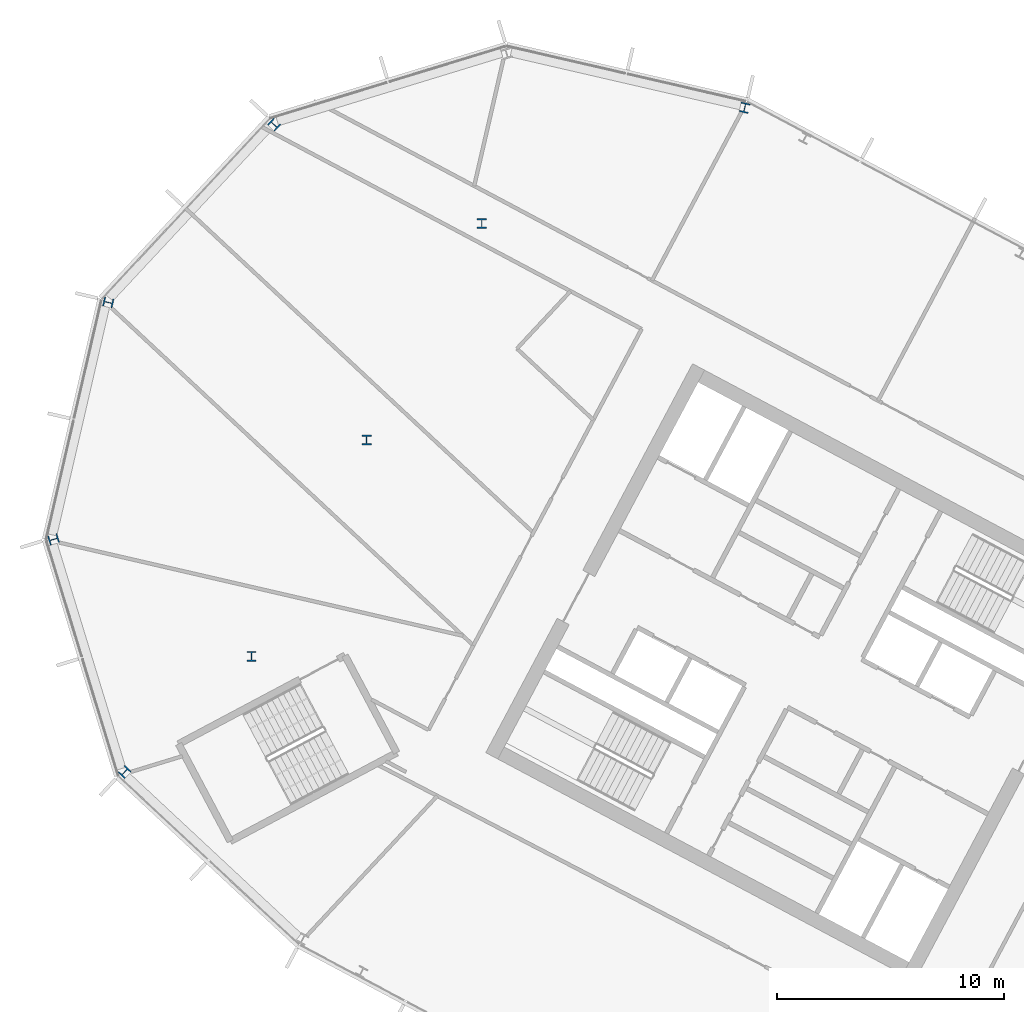
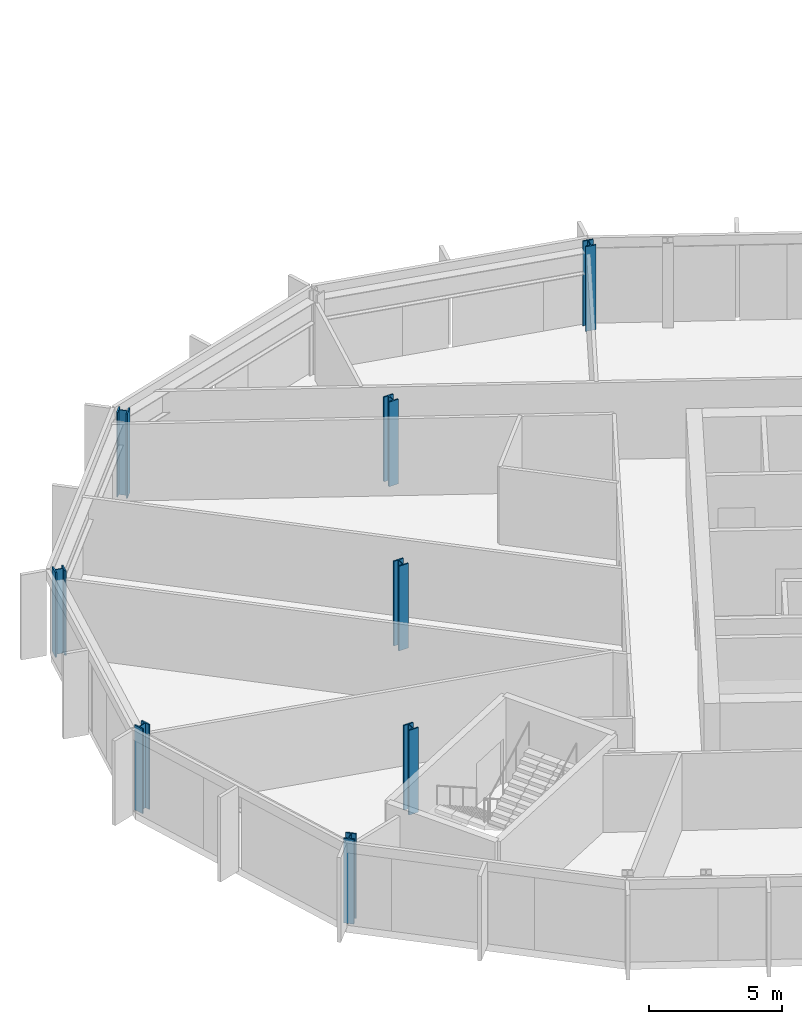
# One storey, part 3 of 26: 8 columns.
"""IFC4 building model written with IfcOpenShell, lengths in metres."""

import ifcopenshell
import ifcopenshell.guid

model = None  # the IFC model being written
_history = None  # IfcOwnerHistory: only IFC2X3 demands one
_inside = {}  # id of a spatial element -> (the spatial element, [elements in it])
_under = {}  # id of a project, library or spatial element -> (it, [spatial elements below it])
_declared = {}  # id of a project -> (the project, [libraries it declares])
_typed = {}  # id of a type object -> (the type object, [elements of that type])
_made_of = {}  # id of a material, layer set ... -> (it, [elements and type objects made of it])


def new_model(schema):
    """Start an empty IFC model of exactly this schema.

    Asked for "IFC4X3", IfcOpenShell would pick the latest addendum, in which some entities
    have other attributes; the version numbers below select the first issue.
    IFC2X3 requires an IfcOwnerHistory on every rooted entity: one is made here for all.
    """
    global model, _history
    if schema == "IFC4X3":
        model = ifcopenshell.file(schema_version=(4, 3, 0, 0))
    else:
        model = ifcopenshell.file(schema=schema)
    _inside.clear()
    _under.clear()
    _declared.clear()
    _typed.clear()
    _made_of.clear()
    _history = None
    if model.schema == "IFC2X3":
        org = make("IfcOrganization", Name="unknown")
        user = make(
            "IfcPersonAndOrganization",
            ThePerson=make("IfcPerson", FamilyName="unknown"),
            TheOrganization=org,
        )
        app = make(
            "IfcApplication",
            ApplicationDeveloper=org,
            Version="unknown",
            ApplicationFullName="unknown",
            ApplicationIdentifier="unknown",
        )
        _history = make(
            "IfcOwnerHistory",
            OwningUser=user,
            OwningApplication=app,
            ChangeAction="ADDED",
            CreationDate=0,
        )
    return model


def make(cls, **values):
    """One entity of the class cls with the attributes given. An attribute that is None is left unset."""
    return model.create_entity(
        cls, **{name: value for name, value in values.items() if value is not None}
    )


def rooted(cls, **values):
    """An entity with a GlobalId (a new one), such as an element, a storey or a relation."""
    return make(cls, GlobalId=ifcopenshell.guid.new(), OwnerHistory=_history, **values)


def si_unit(unit_type, name, prefix=None):
    """IfcSIUnit, for example si_unit("LENGTHUNIT", "METRE", prefix="MILLI")."""
    return make("IfcSIUnit", UnitType=unit_type, Prefix=prefix, Name=name)


def assignment(units):
    """IfcUnitAssignment: the units of a project."""
    return None if units is None else make("IfcUnitAssignment", Units=units)


def point(xyz):
    """IfcCartesianPoint."""
    return None if xyz is None else make("IfcCartesianPoint", Coordinates=xyz)


def direction(xyz):
    """IfcDirection."""
    return None if xyz is None else make("IfcDirection", DirectionRatios=xyz)


def frame(location, z_axis=None, x_axis=None):
    """IfcAxis2Placement3D, a coordinate frame: its origin and axes. An axis left out is left unset."""
    return make(
        "IfcAxis2Placement3D",
        Location=point(location),
        Axis=direction(z_axis),
        RefDirection=direction(x_axis),
    )


def frame_2d(location, x_axis=None):
    """IfcAxis2Placement2D, a coordinate frame in the plane: its origin and x axis."""
    return make(
        "IfcAxis2Placement2D", Location=point(location), RefDirection=direction(x_axis)
    )


def origin():
    """The frame at (0, 0, 0) with its axes left unset."""
    return frame((0.0, 0.0, 0.0))


def origin_2d():
    """The frame at (0, 0) in the plane with its x axis left unset."""
    return frame_2d((0.0, 0.0))


def place(relative_to, where):
    """IfcLocalPlacement: puts the frame where relative to a parent placement (None: the world)."""
    return make(
        "IfcLocalPlacement", PlacementRelTo=relative_to, RelativePlacement=where
    )


def context(
    kind, dimensions, precision=None, world=None, true_north=None, identifier=None
):
    """IfcGeometricRepresentationContext, for example the 3D "Model" context."""
    return make(
        "IfcGeometricRepresentationContext",
        ContextIdentifier=identifier,
        ContextType=kind,
        CoordinateSpaceDimension=dimensions,
        Precision=precision,
        WorldCoordinateSystem=world,
        TrueNorth=true_north,
    )


def subcontext(parent, identifier, kind, view, scale=None):
    """IfcGeometricRepresentationSubContext, for example "Body" below "Model"."""
    return make(
        "IfcGeometricRepresentationSubContext",
        ContextIdentifier=identifier,
        ContextType=kind,
        ParentContext=parent,
        TargetScale=scale,
        TargetView=view,
    )


def project(units=None, contexts=None):
    """IfcProject with its units and contexts."""
    return rooted(
        "IfcProject",
        Name="project",
        RepresentationContexts=contexts,
        UnitsInContext=assignment(units),
    )


def spatial(cls, under=None, at=None, **own):
    """A site, building, storey or space (cls), placed at a placement, below another one or the project."""
    s = rooted(cls, ObjectPlacement=at, **own)
    if under is not None:
        _under.setdefault(under.id(), (under, []))[1].append(s)
    return s


def profile(cls, at=None, kind="AREA", **sizes):
    """A parametric profile (cls). Its sizes go by their IFC names, for example OverallWidth=200.0."""
    return make(cls, ProfileType=kind, Position=at, **sizes)


def i_section(**sizes):
    """IfcIShapeProfileDef."""
    return profile("IfcIShapeProfileDef", **sizes)


def extrude(swept, where, along, depth):
    """IfcExtrudedAreaSolid: the profile swept, set in the frame where, extruded along a direction by depth."""
    return make(
        "IfcExtrudedAreaSolid",
        SweptArea=swept,
        Position=where,
        ExtrudedDirection=direction(along),
        Depth=depth,
    )


def shape(context_of_items, identifier, shape_type, items):
    """IfcShapeRepresentation: the items that make up one representation, for example the "Body"."""
    return make(
        "IfcShapeRepresentation",
        ContextOfItems=context_of_items,
        RepresentationIdentifier=identifier,
        RepresentationType=shape_type,
        Items=items,
    )


def material(Name=None, Category=None):
    """IfcMaterial."""
    return make("IfcMaterial", Name=Name, Category=Category)


def material_profile(
    of_material, cross_section, Name=None, Category=None, Priority=None
):
    """IfcMaterialProfile: a cross section and its material."""
    return make(
        "IfcMaterialProfile",
        Name=Name,
        Material=of_material,
        Profile=cross_section,
        Priority=Priority,
        Category=Category,
    )


def profile_set(profiles, Name=None, composite=None):
    """IfcMaterialProfileSet."""
    return make(
        "IfcMaterialProfileSet",
        Name=Name,
        MaterialProfiles=profiles,
        CompositeProfile=composite,
    )


def made_of(thing, what):
    """Note that an element or type object is made of a material, layer set ...; save() writes the relation."""
    if what is not None:
        _made_of.setdefault(what.id(), (what, []))[1].append(thing)
    return thing


def type_object(cls, material=None, **own):
    """A type object (cls), such as IfcWallType, which elements share."""
    return made_of(rooted(cls, **own), material)


def element(
    cls,
    number,
    at=None,
    inside=None,
    cuts=None,
    type_object=None,
    material=None,
    context=None,
    identifier="Body",
    shape_type=None,
    held_by="IfcProductDefinitionShape",
    body=None,
    shapes=None,
    **own,
):
    """One element of the class cls, such as IfcWall. Its Tag is "e" and its number.

    at: its placement. inside: the storey or other place that contains it. cuts: it is an
    opening in that element (IfcRelVoidsElement). A single representation is given by context,
    identifier, shape_type and body (its items); several are given by shapes. held_by: the class
    of the entity that holds the representations. save() writes the other relations.
    """
    e = rooted(cls, Tag="e%d" % number, ObjectPlacement=at, **own)
    if body is not None:
        shapes = [shape(context, identifier, shape_type, body)]
    if shapes is not None:
        e.Representation = make(held_by, Representations=shapes)
    if inside is not None:
        _inside.setdefault(inside.id(), (inside, []))[1].append(e)
    if cuts is not None:
        rooted(
            "IfcRelVoidsElement", RelatingBuildingElement=cuts, RelatedOpeningElement=e
        )
    if type_object is not None:
        _typed.setdefault(type_object.id(), (type_object, []))[1].append(e)
    return made_of(e, material)


def aggregate(whole, parts):
    """IfcRelAggregates: a whole, such as a stair, and the parts it consists of."""
    return rooted("IfcRelAggregates", RelatingObject=whole, RelatedObjects=parts)


def save(model, path):
    """Write the relations noted so far, then the file.

    IfcRelAggregates (storeys below a building ...), IfcRelContainedInSpatialStructure (elements
    in a storey), IfcRelDefinesByType, IfcRelAssociatesMaterial and IfcRelDeclares: one each for
    every whole, place, type object, material and project.
    """
    for whole, parts in _under.values():
        aggregate(whole, parts)
    for where, things in _inside.values():
        rooted(
            "IfcRelContainedInSpatialStructure",
            RelatedElements=things,
            RelatingStructure=where,
        )
    for kind, things in _typed.values():
        rooted("IfcRelDefinesByType", RelatedObjects=things, RelatingType=kind)
    for what, things in _made_of.values():
        rooted("IfcRelAssociatesMaterial", RelatedObjects=things, RelatingMaterial=what)
    for by, libraries in _declared.values():
        rooted("IfcRelDeclares", RelatingContext=by, RelatedDefinitions=libraries)
    model.write(path)


model = new_model("IFC4")

# Units and contexts
model_context = context("Model", 3, precision=1e-05, world=origin(), true_north=direction((0.0, 1.0)))
body_context = subcontext(model_context, "Body", "Model", "MODEL_VIEW")
ifc_project = project(units=[si_unit("LENGTHUNIT", "METRE"), si_unit("AREAUNIT", "SQUARE_METRE"), si_unit("VOLUMEUNIT", "CUBIC_METRE"), si_unit("PLANEANGLEUNIT", "RADIAN"), si_unit("MASSUNIT", "GRAM", prefix="KILO")], contexts=[model_context])

# Site, building, storey
site_placement = place(None, origin())
site = spatial("IfcSite", under=ifc_project, at=site_placement, CompositionType="ELEMENT")
building_placement = place(site_placement, origin())
building = spatial("IfcBuilding", under=site, at=building_placement, Name="Cormorant Relay Tower", CompositionType="ELEMENT")
storey_placement = place(building_placement, frame((0.0, 0.0, 213.0)))
storey = spatial("IfcBuildingStorey", under=building, at=storey_placement, Name="L46", CompositionType="ELEMENT", Elevation=213.0)

# Columns
ifc_material = material(Name="Steel ASTM A992 (Fy 345 MPa)", Category="steel")
ifc_material_profile = material_profile(ifc_material, i_section(OverallWidth=0.41162109375, OverallDepth=0.434326171875, WebThickness=0.035888671875, FlangeThickness=0.057373046875, FilletRadius=0.01513671875, at=origin_2d()), Name="W360x463")
ifc_profile_set = profile_set([ifc_material_profile], Name="Steel ASTM A992 (Fy 345 MPa)")
column_type = type_object("IfcColumnType", Name="Column W360x463", PredefinedType="COLUMN", material=ifc_profile_set)
for number, where, z_axis, x_axis, name in (
    (1, (-57.279052734375, 10.162109375, 0.0), (0.0, 0.0, 1.0), (0.731353701619, -0.681998360062, 0.0), "Column L46-022"),
    (2, (-51.68994140625, 15.251953125, 0.0), (0.0, 0.0, 1.0), (1.0, 0.0, 0.0), "Column L46-027"),
    (3, (-60.409912109375, 20.404052734375, 0.0), (0.0, 0.0, 1.0), (0.292371704723, -0.956304755963, 0.0), "Column L46-028"),
    (4, (-46.6201171875, 24.7880859375, 0.0), (0.0, 0.0, 1.0), (1.0, 0.0, 0.0), "Column L46-031"),
    (5, (-58.0009765625, 30.840087890625, 0.0), (0.0, 0.0, 1.0), (-0.224951054344, -0.974370064785, 0.0), "Column L46-034"),
    (6, (-41.549072265625, 34.323974609375, 0.0), (0.0, 0.0, 1.0), (1.0, 0.0, 0.0), "Column L46-038"),
    (7, (-50.697021484375, 38.672119140625, 0.0), (0.0, 0.0, 1.0), (-0.681998360062, -0.731353701619, 0.0), "Column L46-042"),
    (8, (-29.968017578125, 39.4150390625, 0.0), (0.0, 0.0, 1.0), (-0.974370064785, 0.224951054344, 0.0), "Column L46-044"),
):
    element("IfcColumn", number, at=place(storey_placement, frame(where, z_axis=z_axis, x_axis=x_axis)), inside=storey, type_object=column_type, Name=name, PredefinedType="COLUMN", context=body_context, shape_type="SweptSolid", body=[
        extrude(i_section(OverallWidth=0.41162109375, OverallDepth=0.434326171875, WebThickness=0.035888671875, FlangeThickness=0.057373046875, FilletRadius=0.01513671875, at=origin_2d()), origin(), (0.0, 0.0, 1.0), 3.89990234375),
    ])

save(model, "model.ifc")
